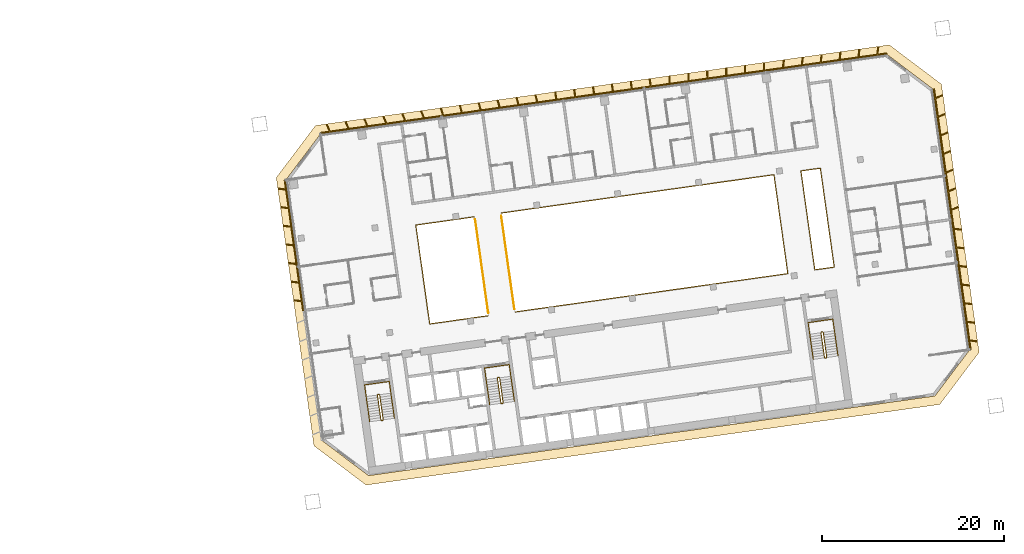
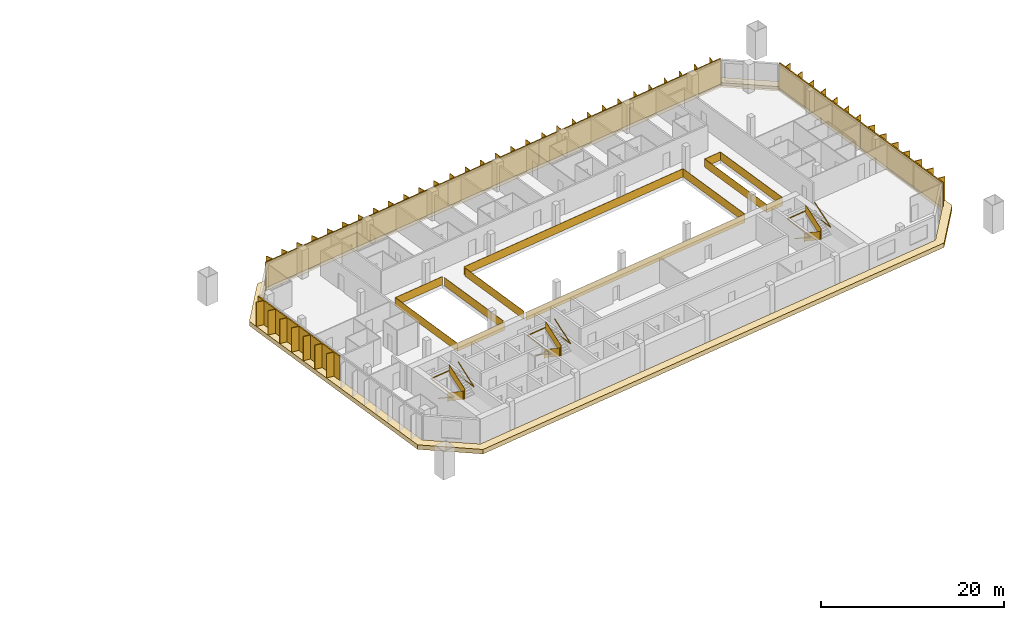
# One storey, part 24 of 24: 11 railings, 8 shading devices, 1 covering.
"""IFC4 building model written with IfcOpenShell, lengths in metres."""

from ifc_helpers import new_model, si_unit, direction, frame, origin, origin_2d, place, context, subcontext, project, spatial, polyline, rectangle, outline, extrude, material, layer, layer_set, type_object, element, save


model = new_model("IFC4")

# Units and contexts
model_context = context("Model", 3, precision=1e-05, world=origin(), true_north=direction((0.0, 1.0)))
body_context = subcontext(model_context, "Body", "Model", "MODEL_VIEW")
ifc_project = project(units=[si_unit("LENGTHUNIT", "METRE"), si_unit("AREAUNIT", "SQUARE_METRE"), si_unit("VOLUMEUNIT", "CUBIC_METRE"), si_unit("PLANEANGLEUNIT", "RADIAN"), si_unit("MASSUNIT", "GRAM", prefix="KILO")], contexts=[model_context])

# Site, building, storey
site_placement = place(None, origin())
site = spatial("IfcSite", under=ifc_project, at=site_placement, CompositionType="ELEMENT")
building_placement = place(site_placement, origin())
building = spatial("IfcBuilding", under=site, at=building_placement, Name="Mirante Cascada Hotel Towers", CompositionType="ELEMENT")
storey_placement = place(building_placement, frame((0.0, 0.0, 110.1)))
storey = spatial("IfcBuildingStorey", under=building, at=storey_placement, Name="L24", CompositionType="ELEMENT", Elevation=110.1)

# Railings
ifc_material_1 = material(Name="Toughened glass with stainless steel handrail", Category="steel")
railing_type_1 = type_object("IfcRailingType", Name="Atrium guard 1100 glass balustrade", PredefinedType="GUARDRAIL", material=ifc_material_1)
railing_1_placement = place(storey_placement, frame((48.76, 8.3112, 0.0)))
element("IfcRailing", 1, at=railing_1_placement, inside=storey, type_object=railing_type_1, Name="GUARD 2-L24-1", PredefinedType="GUARDRAIL", context=body_context, shape_type="SweptSolid", body=[
    extrude(rectangle(XDim=0.048, YDim=0.048, at=origin_2d()), frame((0.0, 0.0, 1.076), z_axis=(-0.9902694, -0.1391638, 0.0), x_axis=(0.1391638, -0.9902694, 0.0)), (0.0, 0.0, 1.0), 6.5125),
    extrude(rectangle(XDim=0.02, YDim=1.052, at=origin_2d()), frame((0.0, 0.0, 0.526), z_axis=(-0.9902694, -0.1391638, 0.0), x_axis=(0.1391638, -0.9902694, 0.0)), (0.0, 0.0, 1.0), 6.5125),
    extrude(rectangle(XDim=0.048, YDim=0.048, at=origin_2d()), frame((-6.4491, -0.9063, 1.076), z_axis=(0.1391721, -0.9902682, 0.0), x_axis=(0.9902682, 0.1391721, 0.0)), (0.0, 0.0, 1.0), 11.0001),
    extrude(rectangle(XDim=0.02, YDim=1.052, at=origin_2d()), frame((-6.4491, -0.9063, 0.526), z_axis=(0.1391721, -0.9902682, 0.0), x_axis=(0.9902682, 0.1391721, 0.0)), (0.0, 0.0, 1.0), 11.0001),
    extrude(rectangle(XDim=0.048, YDim=0.048, at=origin_2d()), frame((-4.9182, -11.7993, 1.076), z_axis=(0.9902673, 0.1391788, 0.0), x_axis=(-0.1391788, 0.9902673, 0.0)), (0.0, 0.0, 1.0), 6.5125),
    extrude(rectangle(XDim=0.02, YDim=1.052, at=origin_2d()), frame((-4.9182, -11.7993, 0.526), z_axis=(0.9902673, 0.1391788, 0.0), x_axis=(-0.1391788, 0.9902673, 0.0)), (0.0, 0.0, 1.0), 6.5125),
])
railing_2_placement = place(storey_placement, frame((53.2617, -2.1642, 0.0)))
element("IfcRailing", 2, at=railing_2_placement, inside=storey, type_object=railing_type_1, Name="GUARD 2-L24-2", PredefinedType="GUARDRAIL", context=body_context, shape_type="SweptSolid", body=[
    extrude(rectangle(XDim=0.048, YDim=0.048, at=origin_2d()), frame((0.0, 0.0, 1.076), z_axis=(0.9902682, 0.1391722, 0.0), x_axis=(-0.1391722, 0.9902682, 0.0)), (0.0, 0.0, 1.0), 30.325),
    extrude(rectangle(XDim=0.02, YDim=1.052, at=origin_2d()), frame((0.0, 0.0, 0.526), z_axis=(0.9902682, 0.1391722, 0.0), x_axis=(-0.1391722, 0.9902682, 0.0)), (0.0, 0.0, 1.0), 30.325),
    extrude(rectangle(XDim=0.048, YDim=0.048, at=origin_2d()), frame((30.0299, 4.2204, 1.076), z_axis=(-0.1391721, 0.9902682, 0.0), x_axis=(-0.9902682, -0.1391721, 0.0)), (0.0, 0.0, 1.0), 11.0001),
    extrude(rectangle(XDim=0.02, YDim=1.052, at=origin_2d()), frame((30.0299, 4.2204, 0.526), z_axis=(-0.1391721, 0.9902682, 0.0), x_axis=(-0.9902682, -0.1391721, 0.0)), (0.0, 0.0, 1.0), 11.0001),
    extrude(rectangle(XDim=0.048, YDim=0.048, at=origin_2d()), frame((28.499, 15.1134, 1.076), z_axis=(-0.9902682, -0.1391722, 0.0), x_axis=(0.1391722, -0.9902682, 0.0)), (0.0, 0.0, 1.0), 30.325),
    extrude(rectangle(XDim=0.02, YDim=1.052, at=origin_2d()), frame((28.499, 15.1134, 0.526), z_axis=(-0.9902682, -0.1391722, 0.0), x_axis=(0.1391722, -0.9902682, 0.0)), (0.0, 0.0, 1.0), 30.325),
])
railing_3_placement = place(storey_placement, frame((86.2624, 2.4738, 0.0)))
element("IfcRailing", 3, at=railing_3_placement, inside=storey, type_object=railing_type_1, Name="GUARD 2-L24-3", PredefinedType="GUARDRAIL", context=body_context, shape_type="SweptSolid", body=[
    extrude(rectangle(XDim=0.048, YDim=0.048, at=origin_2d()), frame((0.0, 0.0, 1.076), z_axis=(0.9902724, 0.1391422, 0.0), x_axis=(-0.1391422, 0.9902724, 0.0)), (0.0, 0.0, 1.0), 2.1625),
    extrude(rectangle(XDim=0.02, YDim=1.052, at=origin_2d()), frame((0.0, 0.0, 0.526), z_axis=(0.9902724, 0.1391422, 0.0), x_axis=(-0.1391422, 0.9902724, 0.0)), (0.0, 0.0, 1.0), 2.1625),
    extrude(rectangle(XDim=0.048, YDim=0.048, at=origin_2d()), frame((2.1415, 0.3009, 1.076), z_axis=(-0.1391721, 0.9902682, 0.0), x_axis=(-0.9902682, -0.1391721, 0.0)), (0.0, 0.0, 1.0), 11.0001),
    extrude(rectangle(XDim=0.02, YDim=1.052, at=origin_2d()), frame((2.1415, 0.3009, 0.526), z_axis=(-0.1391721, 0.9902682, 0.0), x_axis=(-0.9902682, -0.1391721, 0.0)), (0.0, 0.0, 1.0), 11.0001),
    extrude(rectangle(XDim=0.048, YDim=0.048, at=origin_2d()), frame((0.6106, 11.1939, 1.076), z_axis=(-0.990266, -0.1391875, 0.0), x_axis=(0.1391875, -0.990266, 0.0)), (0.0, 0.0, 1.0), 2.1626),
    extrude(rectangle(XDim=0.02, YDim=1.052, at=origin_2d()), frame((0.6106, 11.1939, 0.526), z_axis=(-0.990266, -0.1391875, 0.0), x_axis=(0.1391875, -0.990266, 0.0)), (0.0, 0.0, 1.0), 2.1626),
    extrude(rectangle(XDim=0.048, YDim=0.048, at=origin_2d()), frame((-1.5309, 10.8929, 1.076), z_axis=(0.1391733, -0.990268, 0.0), x_axis=(0.990268, 0.1391733, 0.0)), (0.0, 0.0, 1.0), 11.0),
    extrude(rectangle(XDim=0.02, YDim=1.052, at=origin_2d()), frame((-1.5309, 10.8929, 0.526), z_axis=(0.1391733, -0.990268, 0.0), x_axis=(0.990268, 0.1391733, 0.0)), (0.0, 0.0, 1.0), 11.0),
])
railing_4_placement = place(storey_placement, frame((50.2983, -2.2822, 0.0)))
element("IfcRailing", 4, at=railing_4_placement, inside=storey, type_object=railing_type_1, Name="GUARD 2-L24-4", PredefinedType="GUARDRAIL", context=body_context, shape_type="SweptSolid", body=[
    extrude(rectangle(XDim=0.048, YDim=0.048, at=origin_2d()), frame((0.0, 0.0, 1.076), z_axis=(-0.1391708, 0.9902684, 0.0), x_axis=(-0.9902684, -0.1391708, 0.0)), (0.0, 0.0, 1.0), 10.4088),
    extrude(rectangle(XDim=0.02, YDim=1.052, at=origin_2d()), frame((0.0, 0.0, 0.526), z_axis=(-0.1391708, 0.9902684, 0.0), x_axis=(-0.9902684, -0.1391708, 0.0)), (0.0, 0.0, 1.0), 10.4088),
])
railing_5_placement = place(storey_placement, frame((51.7234, 8.4292, 0.0)))
element("IfcRailing", 5, at=railing_5_placement, inside=storey, type_object=railing_type_1, Name="GUARD 2-L24-5", PredefinedType="GUARDRAIL", context=body_context, shape_type="SweptSolid", body=[
    extrude(rectangle(XDim=0.048, YDim=0.048, at=origin_2d()), frame((0.0, 0.0, 1.076), z_axis=(0.1391721, -0.9902682, 0.0), x_axis=(0.9902682, 0.1391721, 0.0)), (0.0, 0.0, 1.0), 10.4087),
    extrude(rectangle(XDim=0.02, YDim=1.052, at=origin_2d()), frame((0.0, 0.0, 0.526), z_axis=(0.1391721, -0.9902682, 0.0), x_axis=(0.9902682, 0.1391721, 0.0)), (0.0, 0.0, 1.0), 10.4087),
])

# Covering
ifc_material_2 = material(Name="Precast concrete C40/50 white", Category="concrete")
ifc_layer = layer(ifc_material_2, 0.6)
ifc_layer_set = layer_set([ifc_layer], Name="Precast concrete SUNSHADE band 1000x600")
covering_type = type_object("IfcCoveringType", Name="Precast concrete SUNSHADE band 1000x600", PredefinedType="CLADDING", material=ifc_layer_set)
covering_placement = place(storey_placement, frame((0.0, 0.0, -0.45)))
element("IfcCovering", 6, at=covering_placement, inside=storey, type_object=covering_type, Name="Precast concrete SUNSHADE band T2 L24", PredefinedType="CLADDING", context=body_context, shape_type="SweptSolid", body=[
    extrude(outline(polyline([(26.9341, 12.6299), (31.2626, 18.374), (94.4698, 27.2572), (100.2139, 22.9287), (104.3652, -6.6094), (100.0367, -12.3535), (36.8295, -21.2367), (31.0854, -16.9082), (26.9341, 12.6299)]), holes=[polyline([(103.3173, -6.3384), (99.2813, 22.3794), (94.1988, 26.2093), (31.8119, 17.4414), (27.982, 12.3589), (32.018, -16.3589), (37.1005, -20.1888), (99.4874, -11.4209), (103.3173, -6.3384)])]), origin(), (0.0, 0.0, 1.0), 0.6),
])

# Railings
ifc_material_3 = material(Name="Painted steel", Category="steel")
railing_type_2 = type_object("IfcRailingType", Name="Stair guard 1100 steel balustrade", PredefinedType="GUARDRAIL", material=ifc_material_3)
railing_6_placement = place(storey_placement, frame((38.2663, -11.2395, 0.0)))
element("IfcRailing", 7, at=railing_6_placement, inside=storey, type_object=railing_type_2, Name="L24 ST2-A stair guard 1", PredefinedType="GUARDRAIL", context=body_context, shape_type="SweptSolid", body=[
    extrude(rectangle(XDim=0.048, YDim=0.048, at=origin_2d()), frame((0.0, 0.0, 1.076), z_axis=(-0.9903326, -0.1387133, 0.0), x_axis=(0.1387133, -0.9903326, 0.0)), (0.0, 0.0, 1.0), 0.1499),
    extrude(rectangle(XDim=0.02, YDim=1.052, at=origin_2d()), frame((0.0, 0.0, 0.526), z_axis=(-0.9903326, -0.1387133, 0.0), x_axis=(0.1387133, -0.9903326, 0.0)), (0.0, 0.0, 1.0), 0.1499),
    extrude(rectangle(XDim=0.048, YDim=0.048, at=origin_2d()), frame((-0.1485, -0.0208, 1.076), z_axis=(-0.6020331, -0.7984711, 0.0), x_axis=(0.7984711, -0.6020331, 0.0)), (0.0, 0.9253398, 0.3791387), 0.1866),
    extrude(rectangle(XDim=0.02, YDim=1.052, at=origin_2d()), frame((-0.1485, -0.0208, 0.526), z_axis=(-0.6020331, -0.7984711, 0.0), x_axis=(0.7984711, -0.6020331, 0.0)), (0.0, 0.9253398, 0.3791387), 0.1866),
    extrude(rectangle(XDim=0.048, YDim=0.048, at=origin_2d()), frame((-0.1911, -0.0773, 1.2487), z_axis=(0.139176, -0.9902677, 0.0), x_axis=(0.9902677, 0.139176, 0.0)), (0.0, 0.5250212, 0.8510891), 3.29),
    extrude(rectangle(XDim=0.02, YDim=1.052, at=origin_2d()), frame((-0.1911, -0.0773, 0.6987), z_axis=(0.139176, -0.9902677, 0.0), x_axis=(0.9902677, 0.139176, 0.0)), (0.0, 0.5250212, 0.8510891), 3.29),
    extrude(rectangle(XDim=0.048, YDim=0.048, at=origin_2d()), frame((0.1986, -2.8501, 2.976), z_axis=(0.9944948, -0.1047858, 0.0), x_axis=(0.1047858, 0.9944948, 0.0)), (0.0, 0.0, 1.0), 0.2061),
    extrude(rectangle(XDim=0.02, YDim=1.052, at=origin_2d()), frame((0.1986, -2.8501, 2.426), z_axis=(0.9944948, -0.1047858, 0.0), x_axis=(0.1047858, 0.9944948, 0.0)), (0.0, 0.0, 1.0), 0.2061),
    extrude(rectangle(XDim=0.048, YDim=0.048, at=origin_2d()), frame((0.4036, -2.8717, 2.976), z_axis=(-0.9902408, -0.1393672, 0.0), x_axis=(0.1393672, -0.9902408, 0.0)), (0.0, 0.0, 1.0), 0.15),
    extrude(rectangle(XDim=0.02, YDim=1.052, at=origin_2d()), frame((0.4036, -2.8717, 2.426), z_axis=(-0.9902408, -0.1393672, 0.0), x_axis=(0.1393672, -0.9902408, 0.0)), (0.0, 0.0, 1.0), 0.15),
    extrude(rectangle(XDim=0.048, YDim=0.048, at=origin_2d()), frame((0.2551, -2.8926, 2.976), z_axis=(0.9270311, 0.3749843, 0.0), x_axis=(-0.3749843, 0.9270311, 0.0)), (0.0, 0.6421903, 0.7665452), 0.2689),
    extrude(rectangle(XDim=0.02, YDim=1.052, at=origin_2d()), frame((0.2551, -2.8926, 2.426), z_axis=(0.9270311, 0.3749843, 0.0), x_axis=(-0.3749843, 0.9270311, 0.0)), (0.0, 0.6421903, 0.7665452), 0.2689),
    extrude(rectangle(XDim=0.048, YDim=0.048, at=origin_2d()), frame((0.4462, -2.8153, 3.1487), z_axis=(-0.139176, 0.9902677, 0.0), x_axis=(-0.9902677, -0.139176, 0.0)), (0.0, 0.5250212, 0.8510891), 3.29),
    extrude(rectangle(XDim=0.02, YDim=1.052, at=origin_2d()), frame((0.4462, -2.8153, 2.5987), z_axis=(-0.139176, 0.9902677, 0.0), x_axis=(-0.9902677, -0.139176, 0.0)), (0.0, 0.5250212, 0.8510891), 3.29),
])
railing_7_placement = place(storey_placement, frame((51.4864, -9.3815, 0.0)))
element("IfcRailing", 8, at=railing_7_placement, inside=storey, type_object=railing_type_2, Name="L24 ST2-B stair guard 1", PredefinedType="GUARDRAIL", context=body_context, shape_type="SweptSolid", body=[
    extrude(rectangle(XDim=0.048, YDim=0.048, at=origin_2d()), frame((0.0, 0.0, 1.076), z_axis=(-0.9902408, -0.1393672, 0.0), x_axis=(0.1393672, -0.9902408, 0.0)), (0.0, 0.0, 1.0), 0.15),
    extrude(rectangle(XDim=0.02, YDim=1.052, at=origin_2d()), frame((0.0, 0.0, 0.526), z_axis=(-0.9902408, -0.1393672, 0.0), x_axis=(0.1393672, -0.9902408, 0.0)), (0.0, 0.0, 1.0), 0.15),
    extrude(rectangle(XDim=0.048, YDim=0.048, at=origin_2d()), frame((-0.1485, -0.0209, 1.076), z_axis=(-0.6020331, -0.7984711, 0.0), x_axis=(0.7984711, -0.6020331, 0.0)), (0.0, 0.9253398, 0.3791387), 0.1866),
    extrude(rectangle(XDim=0.02, YDim=1.052, at=origin_2d()), frame((-0.1485, -0.0209, 0.526), z_axis=(-0.6020331, -0.7984711, 0.0), x_axis=(0.7984711, -0.6020331, 0.0)), (0.0, 0.9253398, 0.3791387), 0.1866),
    extrude(rectangle(XDim=0.048, YDim=0.048, at=origin_2d()), frame((-0.1911, -0.0774, 1.2487), z_axis=(0.139181, -0.990267, 0.0), x_axis=(0.990267, 0.139181, 0.0)), (0.0, 0.5250347, 0.8510808), 3.2899),
    extrude(rectangle(XDim=0.02, YDim=1.052, at=origin_2d()), frame((-0.1911, -0.0774, 0.6987), z_axis=(0.139181, -0.990267, 0.0), x_axis=(0.990267, 0.139181, 0.0)), (0.0, 0.5250347, 0.8510808), 3.2899),
    extrude(rectangle(XDim=0.048, YDim=0.048, at=origin_2d()), frame((0.1986, -2.8501, 2.976), z_axis=(0.9944441, -0.1052656, 0.0), x_axis=(0.1052656, 0.9944441, 0.0)), (0.0, 0.0, 1.0), 0.2061),
    extrude(rectangle(XDim=0.02, YDim=1.052, at=origin_2d()), frame((0.1986, -2.8501, 2.426), z_axis=(0.9944441, -0.1052656, 0.0), x_axis=(0.1052656, 0.9944441, 0.0)), (0.0, 0.0, 1.0), 0.2061),
    extrude(rectangle(XDim=0.048, YDim=0.048, at=origin_2d()), frame((0.4036, -2.8718, 2.976), z_axis=(-0.9902408, -0.1393672, 0.0), x_axis=(0.1393672, -0.9902408, 0.0)), (0.0, 0.0, 1.0), 0.15),
    extrude(rectangle(XDim=0.02, YDim=1.052, at=origin_2d()), frame((0.4036, -2.8718, 2.426), z_axis=(-0.9902408, -0.1393672, 0.0), x_axis=(0.1393672, -0.9902408, 0.0)), (0.0, 0.0, 1.0), 0.15),
    extrude(rectangle(XDim=0.048, YDim=0.048, at=origin_2d()), frame((0.2551, -2.8927, 2.976), z_axis=(0.9268624, 0.3754011, 0.0), x_axis=(-0.3754011, 0.9268624, 0.0)), (0.0, 0.6421217, 0.7666028), 0.269),
    extrude(rectangle(XDim=0.02, YDim=1.052, at=origin_2d()), frame((0.2551, -2.8927, 2.426), z_axis=(0.9268624, 0.3754011, 0.0), x_axis=(-0.3754011, 0.9268624, 0.0)), (0.0, 0.6421217, 0.7666028), 0.269),
    extrude(rectangle(XDim=0.048, YDim=0.048, at=origin_2d()), frame((0.4462, -2.8153, 3.1487), z_axis=(-0.139181, 0.990267, 0.0), x_axis=(-0.990267, -0.139181, 0.0)), (0.0, 0.5250347, 0.8510808), 3.2899),
    extrude(rectangle(XDim=0.02, YDim=1.052, at=origin_2d()), frame((0.4462, -2.8153, 2.5987), z_axis=(-0.139181, 0.990267, 0.0), x_axis=(-0.990267, -0.139181, 0.0)), (0.0, 0.5250347, 0.8510808), 3.2899),
])
railing_8_placement = place(storey_placement, frame((87.1361, -4.3713, 0.0)))
element("IfcRailing", 9, at=railing_8_placement, inside=storey, type_object=railing_type_2, Name="L24 ST2-C stair guard 1", PredefinedType="GUARDRAIL", context=body_context, shape_type="SweptSolid", body=[
    extrude(rectangle(XDim=0.048, YDim=0.048, at=origin_2d()), frame((0.0, 0.0, 1.076), z_axis=(-0.9902537, -0.1392753, 0.0), x_axis=(0.1392753, -0.9902537, 0.0)), (0.0, 0.0, 1.0), 0.1501),
    extrude(rectangle(XDim=0.02, YDim=1.052, at=origin_2d()), frame((0.0, 0.0, 0.526), z_axis=(-0.9902537, -0.1392753, 0.0), x_axis=(0.1392753, -0.9902537, 0.0)), (0.0, 0.0, 1.0), 0.1501),
    extrude(rectangle(XDim=0.048, YDim=0.048, at=origin_2d()), frame((-0.1486, -0.0209, 1.076), z_axis=(-0.601811, -0.7986386, 0.0), x_axis=(0.7986386, -0.601811, 0.0)), (0.0, 0.925603, 0.3784959), 0.1866),
    extrude(rectangle(XDim=0.02, YDim=1.052, at=origin_2d()), frame((-0.1486, -0.0209, 0.526), z_axis=(-0.601811, -0.7986386, 0.0), x_axis=(0.7986386, -0.601811, 0.0)), (0.0, 0.925603, 0.3784959), 0.1866),
    extrude(rectangle(XDim=0.048, YDim=0.048, at=origin_2d()), frame((-0.1911, -0.0773, 1.2487), z_axis=(0.139176, -0.9902677, 0.0), x_axis=(0.9902677, 0.139176, 0.0)), (0.0, 0.5250212, 0.8510891), 3.29),
    extrude(rectangle(XDim=0.02, YDim=1.052, at=origin_2d()), frame((-0.1911, -0.0773, 0.6987), z_axis=(0.139176, -0.9902677, 0.0), x_axis=(0.9902677, 0.139176, 0.0)), (0.0, 0.5250212, 0.8510891), 3.29),
    extrude(rectangle(XDim=0.048, YDim=0.048, at=origin_2d()), frame((0.1986, -2.8501, 2.976), z_axis=(0.9944441, -0.1052656, 0.0), x_axis=(0.1052656, 0.9944441, 0.0)), (0.0, 0.0, 1.0), 0.2061),
    extrude(rectangle(XDim=0.02, YDim=1.052, at=origin_2d()), frame((0.1986, -2.8501, 2.426), z_axis=(0.9944441, -0.1052656, 0.0), x_axis=(0.1052656, 0.9944441, 0.0)), (0.0, 0.0, 1.0), 0.2061),
    extrude(rectangle(XDim=0.048, YDim=0.048, at=origin_2d()), frame((0.4036, -2.8718, 2.976), z_axis=(-0.9903454, -0.1386217, 0.0), x_axis=(0.1386217, -0.9903454, 0.0)), (0.0, 0.0, 1.0), 0.15),
    extrude(rectangle(XDim=0.02, YDim=1.052, at=origin_2d()), frame((0.4036, -2.8718, 2.426), z_axis=(-0.9903454, -0.1386217, 0.0), x_axis=(0.1386217, -0.9903454, 0.0)), (0.0, 0.0, 1.0), 0.15),
    extrude(rectangle(XDim=0.048, YDim=0.048, at=origin_2d()), frame((0.255, -2.8926, 2.976), z_axis=(0.9270311, 0.3749843, 0.0), x_axis=(-0.3749843, 0.9270311, 0.0)), (0.0, 0.6421903, 0.7665452), 0.2689),
    extrude(rectangle(XDim=0.02, YDim=1.052, at=origin_2d()), frame((0.255, -2.8926, 2.426), z_axis=(0.9270311, 0.3749843, 0.0), x_axis=(-0.3749843, 0.9270311, 0.0)), (0.0, 0.6421903, 0.7665452), 0.2689),
    extrude(rectangle(XDim=0.048, YDim=0.048, at=origin_2d()), frame((0.4461, -2.8153, 3.1487), z_axis=(-0.139176, 0.9902677, 0.0), x_axis=(-0.9902677, -0.139176, 0.0)), (0.0, 0.5250212, 0.8510891), 3.29),
    extrude(rectangle(XDim=0.02, YDim=1.052, at=origin_2d()), frame((0.4461, -2.8153, 2.5987), z_axis=(-0.139176, 0.9902677, 0.0), x_axis=(-0.9902677, -0.139176, 0.0)), (0.0, 0.5250212, 0.8510891), 3.29),
])
ifc_material_4 = material(Name="Painted steel", Category="steel")
railing_type_3 = type_object("IfcRailingType", Name="Stair handrail 900 steel tube", PredefinedType="HANDRAIL", material=ifc_material_4)
railing_9_placement = place(storey_placement, frame((36.8374, -11.4908, 0.1727)))
element("IfcRailing", 10, at=railing_9_placement, inside=storey, type_object=railing_type_3, Name="L24 ST2-A stair handrail 1", PredefinedType="HANDRAIL", context=body_context, shape_type="SweptSolid", body=[
    extrude(rectangle(XDim=0.048, YDim=0.048, at=origin_2d()), frame((0.0, 0.0, 0.876), z_axis=(0.139181, -0.990267, 0.0), x_axis=(0.990267, 0.139181, 0.0)), (0.0, 0.5250347, 0.8510808), 3.2899),
    extrude(rectangle(XDim=0.048, YDim=0.048, at=origin_2d()), frame((0.3897, -2.7727, 2.6033), z_axis=(-0.1391707, 0.9902684, 0.0), x_axis=(-0.9902684, -0.1391707, 0.0)), (0.0, 0.0420846, 0.999114), 4.1036),
    extrude(rectangle(XDim=0.048, YDim=0.048, at=origin_2d()), frame((-0.1809, 1.2874, 2.776), z_axis=(0.9902691, 0.1391657, 0.0), x_axis=(-0.1391657, 0.9902691, 0.0)), (0.0, 0.0, 1.0), 2.75),
    extrude(rectangle(XDim=0.048, YDim=0.048, at=origin_2d()), frame((2.5423, 1.6701, 2.776), z_axis=(0.1391707, -0.9902684, 0.0), x_axis=(0.9902684, 0.1391707, 0.0)), (0.0, 0.0, 1.0), 4.1),
    extrude(rectangle(XDim=0.048, YDim=0.048, at=origin_2d()), frame((3.1129, -2.39, 2.776), z_axis=(-0.139181, 0.990267, 0.0), x_axis=(-0.990267, -0.139181, 0.0)), (0.0, 0.5250347, 0.8510808), 3.2899),
])
railing_10_placement = place(storey_placement, frame((50.0575, -9.6328, 0.1727)))
element("IfcRailing", 11, at=railing_10_placement, inside=storey, type_object=railing_type_3, Name="L24 ST2-B stair handrail 1", PredefinedType="HANDRAIL", context=body_context, shape_type="SweptSolid", body=[
    extrude(rectangle(XDim=0.048, YDim=0.048, at=origin_2d()), frame((0.0, 0.0, 0.876), z_axis=(0.139176, -0.9902677, 0.0), x_axis=(0.9902677, 0.139176, 0.0)), (0.0, 0.5250212, 0.8510891), 3.29),
    extrude(rectangle(XDim=0.048, YDim=0.048, at=origin_2d()), frame((0.3897, -2.7728, 2.6033), z_axis=(-0.1391707, 0.9902684, 0.0), x_axis=(-0.9902684, -0.1391707, 0.0)), (0.0, 0.0420846, 0.999114), 4.1036),
    extrude(rectangle(XDim=0.048, YDim=0.048, at=origin_2d()), frame((-0.1809, 1.2873, 2.776), z_axis=(0.9902641, 0.1392013, 0.0), x_axis=(-0.1392013, 0.9902641, 0.0)), (0.0, 0.0, 1.0), 2.75),
    extrude(rectangle(XDim=0.048, YDim=0.048, at=origin_2d()), frame((2.5423, 1.6701, 2.776), z_axis=(0.1391707, -0.9902684, 0.0), x_axis=(0.9902684, 0.1391707, 0.0)), (0.0, 0.0, 1.0), 4.1),
    extrude(rectangle(XDim=0.048, YDim=0.048, at=origin_2d()), frame((3.1129, -2.39, 2.776), z_axis=(-0.139181, 0.990267, 0.0), x_axis=(-0.990267, -0.139181, 0.0)), (0.0, 0.5250347, 0.8510808), 3.2899),
])
railing_11_placement = place(storey_placement, frame((85.7071, -4.6226, 0.1727)))
element("IfcRailing", 12, at=railing_11_placement, inside=storey, type_object=railing_type_3, Name="L24 ST2-C stair handrail 1", PredefinedType="HANDRAIL", context=body_context, shape_type="SweptSolid", body=[
    extrude(rectangle(XDim=0.048, YDim=0.048, at=origin_2d()), frame((0.0, 0.0, 0.876), z_axis=(0.139181, -0.990267, 0.0), x_axis=(0.990267, 0.139181, 0.0)), (0.0, 0.5250347, 0.8510808), 3.2899),
    extrude(rectangle(XDim=0.048, YDim=0.048, at=origin_2d()), frame((0.3897, -2.7727, 2.6033), z_axis=(-0.1391707, 0.9902684, 0.0), x_axis=(-0.9902684, -0.1391707, 0.0)), (0.0, 0.0420846, 0.999114), 4.1036),
    extrude(rectangle(XDim=0.048, YDim=0.048, at=origin_2d()), frame((-0.1809, 1.2874, 2.776), z_axis=(0.9902691, 0.1391657, 0.0), x_axis=(-0.1391657, 0.9902691, 0.0)), (0.0, 0.0, 1.0), 2.75),
    extrude(rectangle(XDim=0.048, YDim=0.048, at=origin_2d()), frame((2.5423, 1.6701, 2.776), z_axis=(0.1391947, -0.990265, 0.0), x_axis=(0.990265, 0.1391947, 0.0)), (0.0, 0.0, 1.0), 4.1),
    extrude(rectangle(XDim=0.048, YDim=0.048, at=origin_2d()), frame((3.113, -2.39, 2.776), z_axis=(-0.139181, 0.990267, 0.0), x_axis=(-0.990267, -0.139181, 0.0)), (0.0, 0.5250347, 0.8510808), 3.2899),
])

# Shading devices
ifc_material_5 = material(Name="White precast concrete C50/60 fin", Category="concrete")
shading_device_type = type_object("IfcShadingDeviceType", Name="Vertical fin set 4500x900", PredefinedType="USERDEFINED", material=ifc_material_5)
shading_device_1_placement = place(storey_placement, origin())
element("IfcShadingDevice", 13, at=shading_device_1_placement, inside=storey, type_object=shading_device_type, Name="FIN T2 L24 front 1", ObjectType="FIN", PredefinedType="USERDEFINED", context=body_context, shape_type="SweptSolid", body=[
    extrude(outline(polyline([(82.8967, 25.5893), (82.7946, 24.758), (84.7922, 25.0387), (84.8968, 25.8913), (84.9762, 25.8815), (84.8742, 25.0503), (86.8717, 25.331), (86.9764, 26.1835), (87.0558, 26.1738), (86.9537, 25.3425), (88.9513, 25.6233), (89.056, 26.4758), (89.1354, 26.4661), (89.0333, 25.6348), (91.0308, 25.9155), (91.1355, 26.7681), (91.2149, 26.7583), (91.1129, 25.9271), (93.1104, 26.2078), (93.2151, 27.0603), (93.2945, 27.0506), (93.1924, 26.2193), (94.1779, 26.3578), (94.1988, 26.2093), (81.7214, 24.4557), (81.7006, 24.6042), (82.7126, 24.7465), (82.8173, 25.599), (82.8967, 25.5893)])), origin(), (0.0, 0.0, 1.0), 3.35),
])
shading_device_2_placement = place(storey_placement, origin())
element("IfcShadingDevice", 14, at=shading_device_2_placement, inside=storey, type_object=shading_device_type, Name="FIN T2 L24 front 2", ObjectType="FIN", PredefinedType="USERDEFINED", context=body_context, shape_type="SweptSolid", body=[
    extrude(outline(polyline([(70.3021, 23.8476), (70.3094, 23.0033), (72.3091, 23.2844), (72.3016, 24.1392), (72.3816, 24.1399), (72.389, 23.2956), (74.3886, 23.5766), (74.3812, 24.4314), (74.4612, 24.4321), (74.4686, 23.5878), (76.4682, 23.8689), (76.4608, 24.7237), (76.5407, 24.7244), (76.5481, 23.8801), (78.5478, 24.1611), (78.5403, 25.0159), (78.6203, 25.0166), (78.6277, 24.1724), (80.6273, 24.4534), (80.6199, 25.3082), (80.6999, 25.3089), (80.7072, 24.4646), (81.7006, 24.6042), (81.7214, 24.4557), (69.2441, 22.7021), (69.2232, 22.8507), (70.2295, 22.9921), (70.2221, 23.8469), (70.3021, 23.8476)])), origin(), (0.0, 0.0, 1.0), 3.35),
])
shading_device_3_placement = place(storey_placement, origin())
element("IfcShadingDevice", 15, at=shading_device_3_placement, inside=storey, type_object=shading_device_type, Name="FIN T2 L24 front 3", ObjectType="FIN", PredefinedType="USERDEFINED", context=body_context, shape_type="SweptSolid", body=[
    extrude(outline(polyline([(57.7069, 22.0905), (57.8252, 21.2488), (59.8255, 21.5299), (59.7072, 22.3716), (59.7865, 22.3828), (59.9048, 21.541), (61.9051, 21.8222), (61.7868, 22.6639), (61.866, 22.675), (61.9843, 21.8333), (63.9847, 22.1144), (63.8664, 22.9562), (63.9456, 22.9673), (64.0639, 22.1256), (66.0642, 22.4067), (65.9459, 23.2484), (66.0251, 23.2596), (66.1434, 22.4178), (68.1438, 22.699), (68.0255, 23.5407), (68.1047, 23.5518), (68.223, 22.7101), (69.2232, 22.8507), (69.2441, 22.7021), (56.7667, 20.9485), (56.7458, 21.0971), (57.746, 21.2376), (57.6277, 22.0794), (57.7069, 22.0905)])), origin(), (0.0, 0.0, 1.0), 3.35),
])
shading_device_4_placement = place(storey_placement, origin())
element("IfcShadingDevice", 16, at=shading_device_4_placement, inside=storey, type_object=shading_device_type, Name="FIN T2 L24 front 4", ObjectType="FIN", PredefinedType="USERDEFINED", context=body_context, shape_type="SweptSolid", body=[
    extrude(outline(polyline([(45.1132, 20.3181), (45.3416, 19.4943), (47.3413, 19.7754), (47.1157, 20.589), (47.1928, 20.6103), (47.4212, 19.7866), (49.4209, 20.0676), (49.1952, 20.8812), (49.2723, 20.9026), (49.5008, 20.0789), (51.5004, 20.3599), (51.2748, 21.1735), (51.3519, 21.1949), (51.5803, 20.3711), (53.58, 20.6521), (53.3544, 21.4657), (53.4314, 21.4871), (53.6599, 20.6634), (55.6595, 20.9444), (55.4339, 21.758), (55.511, 21.7794), (55.7394, 20.9556), (56.7458, 21.0971), (56.7667, 20.9485), (44.2893, 19.195), (44.2684, 19.3435), (45.2617, 19.4831), (45.0361, 20.2967), (45.1132, 20.3181)])), origin(), (0.0, 0.0, 1.0), 3.35),
])
shading_device_5_placement = place(storey_placement, origin())
element("IfcShadingDevice", 17, at=shading_device_5_placement, inside=storey, type_object=shading_device_type, Name="FIN T2 L24 front 5", ObjectType="FIN", PredefinedType="USERDEFINED", context=body_context, shape_type="SweptSolid", body=[
    extrude(outline(polyline([(32.5229, 18.5306), (32.8586, 17.7399), (34.8561, 18.0207), (34.5289, 18.7916), (34.6025, 18.8229), (34.9381, 18.0322), (36.9357, 18.3129), (36.6084, 19.0839), (36.6821, 19.1151), (37.0177, 18.3245), (39.0152, 18.6052), (38.688, 19.3761), (38.7616, 19.4074), (39.0973, 18.6167), (41.0948, 18.8975), (40.7676, 19.6684), (40.8412, 19.6997), (41.1768, 18.909), (43.1744, 19.1897), (42.8471, 19.9607), (42.9208, 19.9919), (43.2564, 19.2013), (44.2684, 19.3435), (44.2893, 19.195), (31.8119, 17.4414), (31.791, 17.5899), (32.7765, 17.7284), (32.4493, 18.4994), (32.5229, 18.5306)])), origin(), (0.0, 0.0, 1.0), 3.35),
])
shading_device_6_placement = place(storey_placement, origin())
element("IfcShadingDevice", 18, at=shading_device_6_placement, inside=storey, type_object=shading_device_type, Name="FIN T2 L24 inner 1", ObjectType="FIN", PredefinedType="USERDEFINED", context=body_context, shape_type="SweptSolid", body=[
    extrude(outline(polyline([(28.8684, -0.8389), (29.6997, -0.941), (29.4229, 1.0283), (28.5704, 1.133), (28.5801, 1.2124), (29.4114, 1.1103), (29.1346, 3.0796), (28.2821, 3.1842), (28.2918, 3.2636), (29.1231, 3.1616), (28.8464, 5.1308), (27.9938, 5.2355), (28.0036, 5.3149), (28.8348, 5.2128), (28.5581, 7.1821), (27.7055, 7.2868), (27.7153, 7.3662), (28.5465, 7.2641), (28.2698, 9.2334), (27.4172, 9.338), (27.427, 9.4174), (28.2583, 9.3154), (27.9815, 11.2846), (27.1289, 11.3893), (27.1387, 11.4687), (27.97, 11.3667), (27.8334, 12.338), (27.982, 12.3589), (30.0, -2.0), (29.8515, -2.0209), (29.7112, -1.023), (28.8587, -0.9183), (28.8684, -0.8389)])), origin(), (0.0, 0.0, 1.0), 3.35),
])
shading_device_7_placement = place(storey_placement, origin())
element("IfcShadingDevice", 19, at=shading_device_7_placement, inside=storey, type_object=shading_device_type, Name="FIN T2 L24 outer 1", ObjectType="FIN", PredefinedType="USERDEFINED", context=body_context, shape_type="SweptSolid", body=[
    extrude(outline(polyline([(104.1606, -5.4483), (103.3293, -5.3462), (103.4659, -6.3175), (103.3173, -6.3384), (101.2993, 8.0205), (101.4478, 8.0413), (101.5881, 7.0434), (102.4406, 6.9388), (102.4309, 6.8594), (101.5996, 6.9614), (101.8764, 4.9922), (102.7289, 4.8875), (102.7192, 4.8081), (101.8879, 4.9102), (102.1647, 2.9409), (103.0172, 2.8362), (103.0075, 2.7568), (102.1762, 2.8589), (102.4529, 0.8896), (103.3055, 0.785), (103.2957, 0.7056), (102.4645, 0.8076), (102.7412, -1.1616), (103.5938, -1.2663), (103.584, -1.3457), (102.7528, -1.2436), (103.0295, -3.2129), (103.8821, -3.3176), (103.8723, -3.397), (103.041, -3.2949), (103.3178, -5.2642), (104.1704, -5.3689), (104.1606, -5.4483)])), origin(), (0.0, 0.0, 1.0), 3.35),
])
shading_device_8_placement = place(storey_placement, origin())
element("IfcShadingDevice", 20, at=shading_device_8_placement, inside=storey, type_object=shading_device_type, Name="FIN T2 L24 outer 2", ObjectType="FIN", PredefinedType="USERDEFINED", context=body_context, shape_type="SweptSolid", body=[
    extrude(outline(polyline([(102.0983, 9.3749), (101.3076, 9.0392), (101.4478, 8.0413), (101.2993, 8.0205), (99.2813, 22.3794), (99.4298, 22.4002), (99.5663, 21.4289), (100.3373, 21.7561), (100.3685, 21.6825), (99.5779, 21.3469), (99.8546, 19.3776), (100.6256, 19.7048), (100.6568, 19.6312), (99.8662, 19.2956), (100.1429, 17.3263), (100.9139, 17.6536), (100.9451, 17.5799), (100.1544, 17.2443), (100.4312, 15.2751), (101.2021, 15.6023), (101.2334, 15.5287), (100.4427, 15.193), (100.7195, 13.2238), (101.4904, 13.551), (101.5217, 13.4774), (100.731, 13.1418), (101.0078, 11.1725), (101.7787, 11.4998), (101.81, 11.4261), (101.0193, 11.0905), (101.2961, 9.1212), (102.067, 9.4485), (102.0983, 9.3749)])), origin(), (0.0, 0.0, 1.0), 3.35),
])

save(model, "model.ifc")
